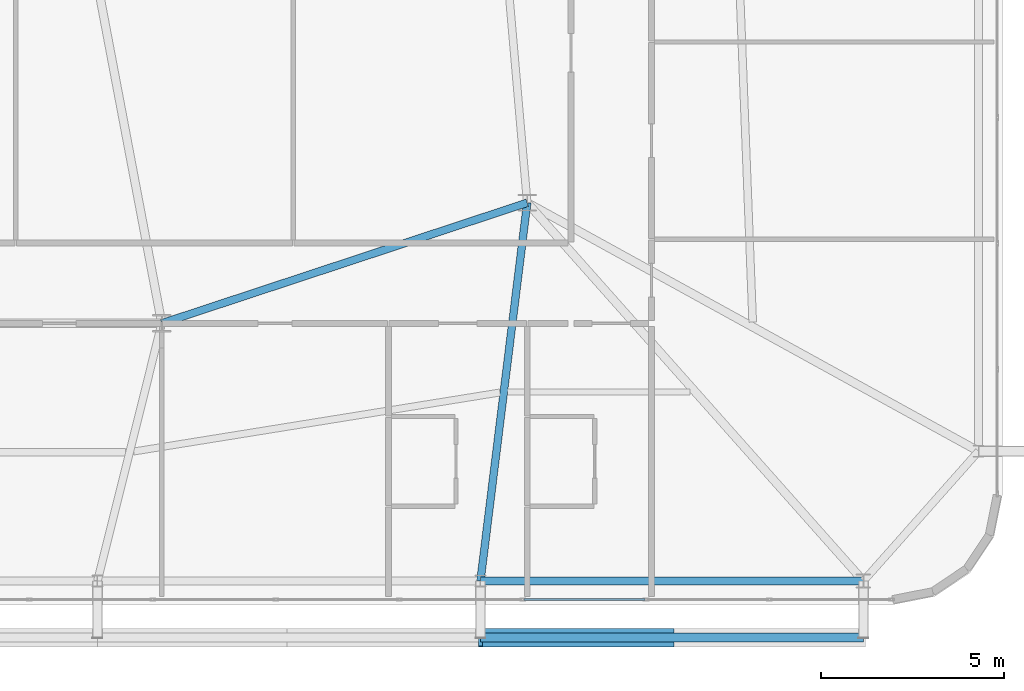
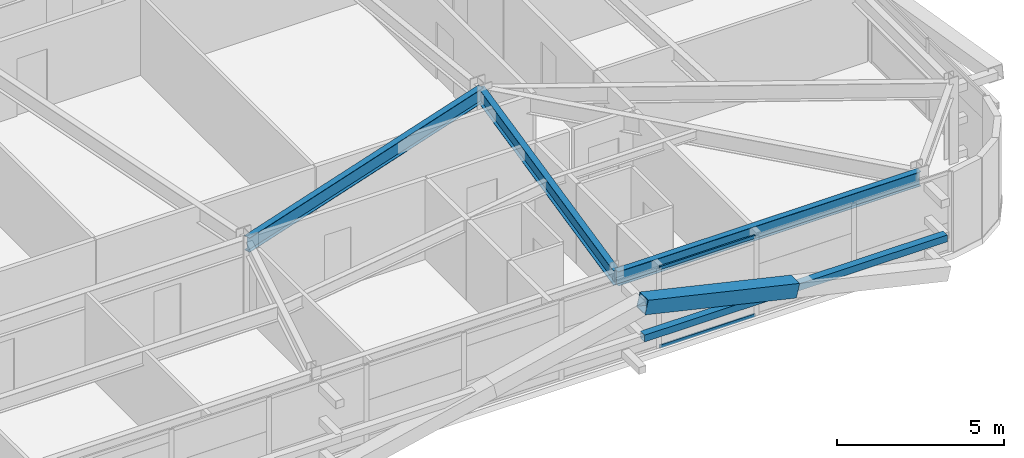
# One storey, part 22 of 58: 4 members, 3 beams, 1 element without a shape of its own.
"""IFC4 building model written with IfcOpenShell, lengths in metres."""

from ifc_helpers import new_model, si_unit, direction, frame, origin, origin_2d, place, context, subcontext, project, spatial, hollow_rectangle, i_section, extrude, source, transform, mapped, material, layer, layer_set, material_profile, profile_set, type_object, element, aggregate, save


model = new_model("IFC4")

# Units and contexts
model_context = context("Model", 3, precision=1e-05, world=origin(), true_north=direction((0.0, 1.0)))
body_context = subcontext(model_context, "Body", "Model", "MODEL_VIEW")
ifc_project = project(units=[si_unit("LENGTHUNIT", "METRE"), si_unit("AREAUNIT", "SQUARE_METRE"), si_unit("VOLUMEUNIT", "CUBIC_METRE"), si_unit("PLANEANGLEUNIT", "RADIAN"), si_unit("MASSUNIT", "GRAM", prefix="KILO")], contexts=[model_context])

# Site, building, storey
site_placement = place(None, origin())
site = spatial("IfcSite", under=ifc_project, at=site_placement, CompositionType="ELEMENT")
building_placement = place(site_placement, origin())
building = spatial("IfcBuilding", under=site, at=building_placement, Name="Taldren Reach Tower", CompositionType="ELEMENT")
storey_placement = place(building_placement, frame((0.0, 0.0, 51.449951171875)))
storey = spatial("IfcBuildingStorey", under=building, at=storey_placement, Name="L15", CompositionType="ELEMENT", Elevation=51.449951171875)

# Beams
ifc_material_1 = material(Name="Steel Gr 350 (350PLUS)", Category="steel")
ifc_material_profile_1 = material_profile(ifc_material_1, i_section(OverallWidth=0.208984375, OverallDepth=0.532958984375, WebThickness=0.01025390625, FlangeThickness=0.015625, at=origin_2d()), Name="530UB92.4")
ifc_profile_set_1 = profile_set([ifc_material_profile_1], Name="Steel Gr 350 (350PLUS)")
beam_type_1 = type_object("IfcBeamType", Name="BM-UB530A", PredefinedType="BEAM", material=ifc_profile_set_1)
shared_shape_1 = source(origin(), body_context, "Body", "SweptSolid", [
    extrude(i_section(OverallWidth=0.208984375, OverallDepth=0.532958984375, WebThickness=0.01025390625, FlangeThickness=0.015625, at=origin_2d()), origin(), (0.0, 0.0, 1.0), 10.530517578125),
])
beam_1_placement = place(storey_placement, frame((42.0, 9.199951171875, 2.66357421875), z_axis=(0.949627269203, 0.313381635689, 0.0), x_axis=(-0.313381635689, 0.949627269203, 0.0)))
element("IfcBeam", 1, at=beam_1_placement, inside=storey, type_object=beam_type_1, Name="Core-spine girder L15-SP12", PredefinedType="BEAM", context=body_context, shape_type="MappedRepresentation", body=[
    mapped(shared_shape_1, transform((0.0, 0.0, 0.0), scale=1.0)),
])
ifc_material_profile_2 = material_profile(ifc_material_1, i_section(OverallWidth=0.208984375, OverallDepth=0.528076171875, WebThickness=0.009521484375, FlangeThickness=0.01318359375, at=origin_2d()), Name="530UB82.0")
ifc_profile_set_2 = profile_set([ifc_material_profile_2], Name="Steel Gr 350 (350PLUS)")
beam_type_2 = type_object("IfcBeamType", Name="SP-UB530B", PredefinedType="SPANDREL", material=ifc_profile_set_2)
shared_shape_2 = source(origin(), body_context, "Body", "SweptSolid", [
    extrude(i_section(OverallWidth=0.208984375, OverallDepth=0.528076171875, WebThickness=0.009521484375, FlangeThickness=0.01318359375, at=origin_2d()), origin(), (0.0, 0.0, 1.0), 10.47998046875),
])
beam_2_placement = place(storey_placement, frame((50.719970703125, 2.14990234375, 2.666015625), z_axis=(1.0, 0.0, 0.0), x_axis=(0.0, 1.0, 0.0)))
element("IfcBeam", 2, at=beam_2_placement, inside=storey, type_object=beam_type_2, Name="Perimeter spandrel B1 S5-S6 L15", PredefinedType="SPANDREL", context=body_context, shape_type="MappedRepresentation", body=[
    mapped(shared_shape_2, transform((0.0, 0.0, 0.0), scale=1.0)),
])
shared_shape_3 = source(origin(), body_context, "Body", "SweptSolid", [
    extrude(i_section(OverallWidth=0.208984375, OverallDepth=0.532958984375, WebThickness=0.01025390625, FlangeThickness=0.015625, at=origin_2d()), origin(), (0.0, 0.0, 1.0), 10.428955078125),
])
beam_3_placement = place(storey_placement, frame((52.0, 12.5, 2.66357421875), z_axis=(-0.122738080664, -0.992439098159, 0.0), x_axis=(0.992439098159, -0.122738080664, 0.0)))
element("IfcBeam", 3, at=beam_3_placement, inside=storey, type_object=beam_type_1, Name="Primary floor girder B1-S5 L15", PredefinedType="BEAM", context=body_context, shape_type="MappedRepresentation", body=[
    mapped(shared_shape_3, transform((0.0, 0.0, 0.0), scale=1.0)),
])

# Members
ifc_material_2 = material(Name="Steel Gr 450 (C450L0)", Category="steel")
ifc_material_profile_3 = material_profile(ifc_material_2, hollow_rectangle(XDim=0.510009765625, YDim=0.510009765625, WallThickness=0.02001953125, at=origin_2d()), Name="510x510x20.0SHS")
ifc_profile_set_3 = profile_set([ifc_material_profile_3], Name="Steel Gr 450 (C450L0)")
member_type_1 = type_object("IfcMemberType", Name="MB-EXO508", PredefinedType="BRACE", material=ifc_profile_set_3)
shared_shape_4 = source(origin(), body_context, "Body", "SweptSolid", [
    extrude(hollow_rectangle(XDim=0.510009765625, YDim=0.510009765625, WallThickness=0.02001953125, at=origin_2d()), origin(), (0.0, 0.0, 1.0), 5.37890625),
])
member_1_placement = place(storey_placement, frame((55.9599609375, 0.60009765625, 1.43505859375), z_axis=(-0.97415197996, 0.0, 0.225893603143), x_axis=(0.0, -1.0, 0.0)))
element("IfcMember", 4, at=member_1_placement, inside=storey, type_object=member_type_1, Name="Exoskeleton Diagrid Brace B1-S5 L15", PredefinedType="BRACE", context=body_context, shape_type="MappedRepresentation", body=[
    mapped(shared_shape_4, transform((0.0, 0.0, 0.0), scale=1.0)),
])
ifc_material_3 = material(Name="Steel Gr 350 (C350L0)", Category="steel")
ifc_material_profile_4 = material_profile(ifc_material_3, hollow_rectangle(XDim=0.25, YDim=0.25, WallThickness=0.010009765625, at=origin_2d()), Name="250x250x10.0SHS")
ifc_profile_set_4 = profile_set([ifc_material_profile_4], Name="Steel Gr 350 (C350L0)")
member_type_2 = type_object("IfcMemberType", Name="MB-POST250", PredefinedType="POST", material=ifc_profile_set_4)
shared_shape_5 = source(origin(), body_context, "Body", "SweptSolid", [
    extrude(hollow_rectangle(XDim=0.25, YDim=0.25, WallThickness=0.010009765625, at=origin_2d()), origin(), (0.0, 0.0, 1.0), 10.47998046875),
])
member_2_placement = place(storey_placement, frame((50.719970703125, 0.60009765625, 1.43505859375), z_axis=(1.0, 0.0, 0.0), x_axis=(0.0, 1.0, 0.0)))
element("IfcMember", 5, at=member_2_placement, inside=storey, type_object=member_type_2, Name="Exoskeleton mid-height ring chord B1-S5 L15", PredefinedType="POST", context=body_context, shape_type="MappedRepresentation", body=[
    mapped(shared_shape_5, transform((0.0, 0.0, 0.0), scale=1.0)),
])

# Curtain wall, members
ifc_material_4 = material(Name="Aluminium and Low-E Glass Unitised System", Category="aluminium")
ifc_layer = layer(ifc_material_4, 0.159912109375)
ifc_layer_set = layer_set([ifc_layer], Name="Aluminium and Low-E Glass Unitised System")
curtain_wall_type = type_object("IfcCurtainWallType", Name="CW-SYS-2", PredefinedType="NOTDEFINED", material=ifc_layer_set)
curtain_wall_placement = place(storey_placement, origin())
curtain_wall = element("IfcCurtainWall", 6, at=curtain_wall_placement, inside=storey, type_object=curtain_wall_type, Name="Unitised curtain wall CW-L15-S", PredefinedType="NOTDEFINED")
ifc_material_5 = material(Name="Anodised Aluminium 6063-T6", Category="aluminium")
ifc_material_profile_5 = material_profile(ifc_material_5, hollow_rectangle(XDim=0.054931640625, YDim=0.1201171875, WallThickness=0.0029296875, at=origin_2d()), Name="ALU-120x55x3RHS")
ifc_profile_set_5 = profile_set([ifc_material_profile_5], Name="Anodised Aluminium 6063-T6")
member_type_3 = type_object("IfcMemberType", Name="CW-TRN-135", PredefinedType="USERDEFINED", material=ifc_profile_set_5)
shared_shape_6 = source(origin(), body_context, "Body", "SweptSolid", [
    extrude(hollow_rectangle(XDim=0.054931640625, YDim=0.1201171875, WallThickness=0.0029296875, at=origin_2d()), origin(), (0.0, 0.0, 1.0), 3.31005859375),
])
member_3_placement = place(storey_placement, frame((51.907470703125, 1.639892578125, 0.027587890625), z_axis=(1.0, 0.0, 0.0), x_axis=(0.0, 1.0, 0.0)))
member_3 = element("IfcMember", 7, at=member_3_placement, type_object=member_type_3, Name="CW-2 transom 14.1", ObjectType="TRANSOM", PredefinedType="USERDEFINED", context=body_context, shape_type="MappedRepresentation", body=[
    mapped(shared_shape_6, transform((0.0, 0.0, 0.0), scale=1.0)),
])
member_4_placement = place(storey_placement, frame((51.907470703125, 1.639892578125, 2.902587890625), z_axis=(1.0, 0.0, 0.0), x_axis=(0.0, 1.0, 0.0)))
member_4 = element("IfcMember", 8, at=member_4_placement, type_object=member_type_3, Name="CW-2 transom 14.2", ObjectType="TRANSOM", PredefinedType="USERDEFINED", context=body_context, shape_type="MappedRepresentation", body=[
    mapped(shared_shape_6, transform((0.0, 0.0, 0.0), scale=1.0)),
])
aggregate(curtain_wall, [member_3, member_4])

save(model, "model.ifc")
